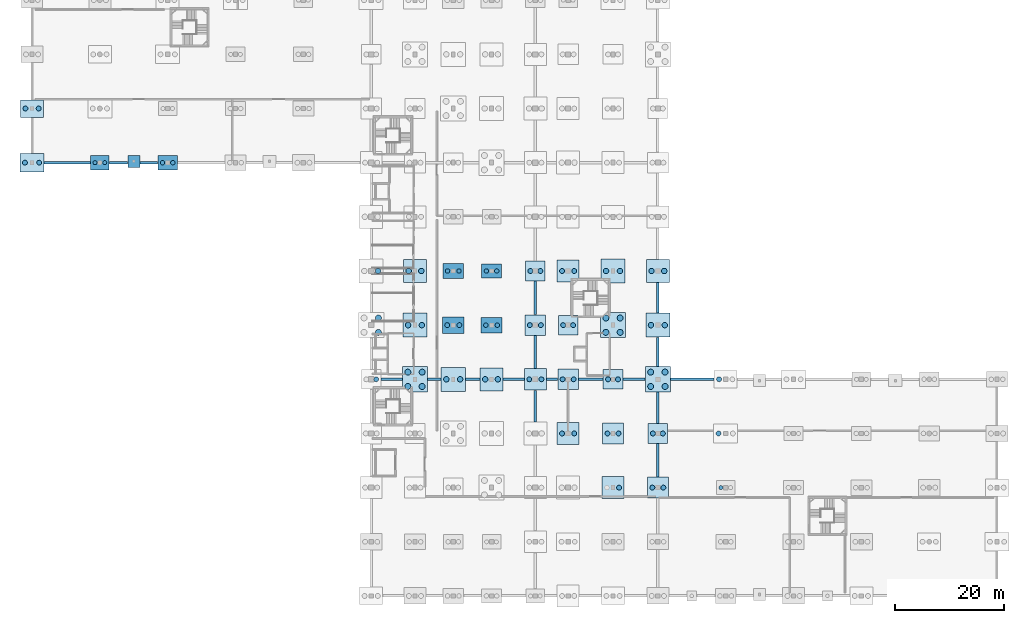
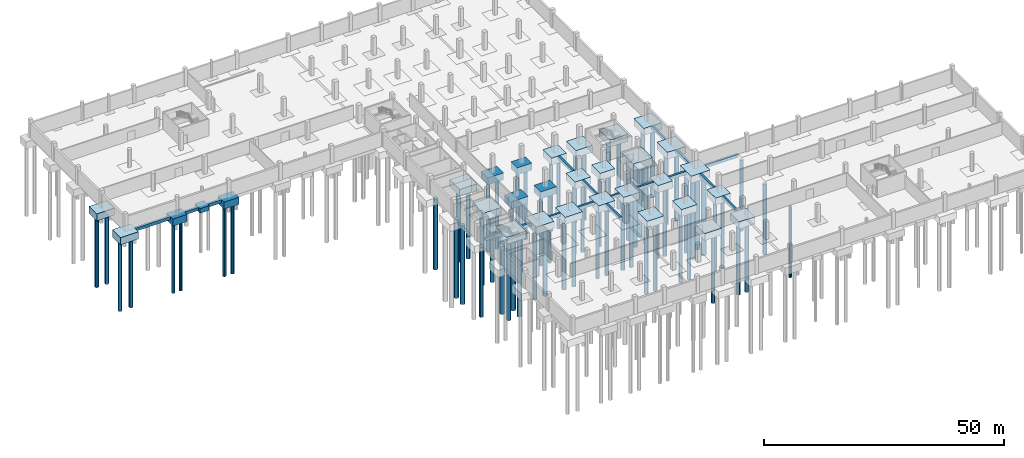
# One storey, part 2 of 30: 72 piles, 49 footings.
"""IFC4 building model written with IfcOpenShell, lengths in metres."""

from ifc_helpers import new_model, si_unit, direction, frame, origin, origin_2d, place, context, subcontext, project, spatial, rectangle, circle, extrude, material, layer, layer_set, material_profile, profile_set, type_object, element, save


model = new_model("IFC4")

# Units and contexts
model_context = context("Model", 3, precision=1e-05, world=origin(), true_north=direction((0.0, 1.0)))
body_context = subcontext(model_context, "Body", "Model", "MODEL_VIEW")
ifc_project = project(units=[si_unit("LENGTHUNIT", "METRE"), si_unit("AREAUNIT", "SQUARE_METRE"), si_unit("VOLUMEUNIT", "CUBIC_METRE"), si_unit("PLANEANGLEUNIT", "RADIAN"), si_unit("MASSUNIT", "GRAM", prefix="KILO")], contexts=[model_context])

# Site, building, storey
site_placement = place(None, origin())
site = spatial("IfcSite", under=ifc_project, at=site_placement, CompositionType="ELEMENT")
building_placement = place(site_placement, origin())
building = spatial("IfcBuilding", under=site, at=building_placement, Name="Sillaruma Civic Art Gallery", CompositionType="ELEMENT")
storey_placement = place(building_placement, frame((0.0, 0.0, -9.179931640625)))
storey = spatial("IfcBuildingStorey", under=building, at=storey_placement, Name="B02", CompositionType="ELEMENT", Elevation=-9.179931640625)

# Footings
ifc_material = material(Name="Concrete H35 (35 MPa)", Category="concrete")
ifc_material_profile_1 = material_profile(ifc_material, rectangle(XDim=0.5, YDim=0.800048828125, at=origin_2d()), Name="RCB500x800")
ifc_profile_set_1 = profile_set([ifc_material_profile_1], Name="Concrete H35 (35 MPa)")
footing_type_1 = type_object("IfcFootingType", Name="FTG-FB-500x800", PredefinedType="FOOTING_BEAM", material=ifc_profile_set_1)
footing_1_placement = place(storey_placement, frame((63.820068359375, 39.60009765625, -0.400146484375), z_axis=(1.0, 0.0, 0.0), x_axis=(0.0, 1.0, 0.0)))
element("IfcFooting", 1, at=footing_1_placement, inside=storey, type_object=footing_type_1, Name="Foundation Tie Beam FB-01 (5:F-G:1)", PredefinedType="FOOTING_BEAM", context=body_context, shape_type="SweptSolid", body=[
    extrude(rectangle(XDim=0.5, YDim=0.800048828125, at=origin_2d()), origin(), (0.0, 0.0, 1.0), 3.85986328125),
])
footing_2_placement = place(storey_placement, frame((72.320068359375, 39.60009765625, -0.400146484375), z_axis=(1.0, 0.0, 0.0), x_axis=(0.0, 1.0, 0.0)))
element("IfcFooting", 2, at=footing_2_placement, inside=storey, type_object=footing_type_1, Name="Foundation Tie Beam FB-01 (5:G-H:1)", PredefinedType="FOOTING_BEAM", context=body_context, shape_type="SweptSolid", body=[
    extrude(rectangle(XDim=0.5, YDim=0.800048828125, at=origin_2d()), origin(), (0.0, 0.0, 1.0), 2.4599609375),
])
footing_3_placement = place(storey_placement, frame((79.219970703125, 39.60009765625, -0.400146484375), z_axis=(1.0, 0.0, 0.0), x_axis=(0.0, 1.0, 0.0)))
element("IfcFooting", 3, at=footing_3_placement, inside=storey, type_object=footing_type_1, Name="Foundation Tie Beam FB-01 (5:H-J:1)", PredefinedType="FOOTING_BEAM", context=body_context, shape_type="SweptSolid", body=[
    extrude(rectangle(XDim=0.5, YDim=0.800048828125, at=origin_2d()), origin(), (0.0, 0.0, 1.0), 2.659912109375),
])
footing_4_placement = place(storey_placement, frame((86.1201171875, 39.60009765625, -0.400146484375), z_axis=(1.0, 0.0, 0.0), x_axis=(0.0, 1.0, 0.0)))
element("IfcFooting", 4, at=footing_4_placement, inside=storey, type_object=footing_type_1, Name="Foundation Tie Beam FB-01 (5:J-K:1)", PredefinedType="FOOTING_BEAM", context=body_context, shape_type="SweptSolid", body=[
    extrude(rectangle(XDim=0.5, YDim=0.800048828125, at=origin_2d()), origin(), (0.0, 0.0, 1.0), 3.85986328125),
])
footing_5_placement = place(storey_placement, frame((94.02001953125, 39.60009765625, -0.400146484375), z_axis=(1.0, 0.0, 0.0), x_axis=(0.0, 1.0, 0.0)))
element("IfcFooting", 5, at=footing_5_placement, inside=storey, type_object=footing_type_1, Name="Foundation Tie Beam FB-01 (5:K-L:1)", PredefinedType="FOOTING_BEAM", context=body_context, shape_type="SweptSolid", body=[
    extrude(rectangle(XDim=0.5, YDim=0.800048828125, at=origin_2d()), origin(), (0.0, 0.0, 1.0), 2.06005859375),
])
footing_6_placement = place(storey_placement, frame((99.919921875, 39.60009765625, -0.400146484375), z_axis=(1.0, 0.0, 0.0), x_axis=(0.0, 1.0, 0.0)))
element("IfcFooting", 6, at=footing_6_placement, inside=storey, type_object=footing_type_1, Name="Foundation Tie Beam FB-01 (5:L-M:1)", PredefinedType="FOOTING_BEAM", context=body_context, shape_type="SweptSolid", body=[
    extrude(rectangle(XDim=0.5, YDim=0.800048828125, at=origin_2d()), origin(), (0.0, 0.0, 1.0), 4.4599609375),
])
footing_7_placement = place(storey_placement, frame((108.02001953125, 39.60009765625, -0.400146484375), z_axis=(1.0, 0.0, 0.0), x_axis=(0.0, 1.0, 0.0)))
element("IfcFooting", 7, at=footing_7_placement, inside=storey, type_object=footing_type_1, Name="Foundation Tie Beam FB-01 (5:M-N:1)", PredefinedType="FOOTING_BEAM", context=body_context, shape_type="SweptSolid", body=[
    extrude(rectangle(XDim=0.5, YDim=0.800048828125, at=origin_2d()), origin(), (0.0, 0.0, 1.0), 4.06005859375),
])
footing_8_placement = place(storey_placement, frame((116.719970703125, 39.60009765625, -0.400146484375), z_axis=(1.0, 0.0, 0.0), x_axis=(0.0, 1.0, 0.0)))
element("IfcFooting", 8, at=footing_8_placement, inside=storey, type_object=footing_type_1, Name="Foundation Tie Beam FB-01 (5:N-P:1)", PredefinedType="FOOTING_BEAM", context=body_context, shape_type="SweptSolid", body=[
    extrude(rectangle(XDim=0.5, YDim=0.800048828125, at=origin_2d()), origin(), (0.0, 0.0, 1.0), 7.9599609375),
])
footing_9_placement = place(storey_placement, frame((2.219970703125, 79.199951171875, -0.400146484375), z_axis=(1.0, 0.0, 0.0), x_axis=(0.0, 1.0, 0.0)))
element("IfcFooting", 9, at=footing_9_placement, inside=storey, type_object=footing_type_1, Name="Foundation Tie Beam FB-01 (9:A-B:1)", PredefinedType="FOOTING_BEAM", context=body_context, shape_type="SweptSolid", body=[
    extrude(rectangle(XDim=0.5, YDim=0.800048828125, at=origin_2d()), origin(), (0.0, 0.0, 1.0), 8.4599609375),
])
footing_10_placement = place(storey_placement, frame((14.1201171875, 79.199951171875, -0.400146484375), z_axis=(1.0, 0.0, 0.0), x_axis=(0.0, 1.0, 0.0)))
element("IfcFooting", 10, at=footing_10_placement, inside=storey, type_object=footing_type_1, Name="Foundation Tie Beam FB-01 (9:B-C:A)", PredefinedType="FOOTING_BEAM", context=body_context, shape_type="SweptSolid", body=[
    extrude(rectangle(XDim=0.5, YDim=0.800048828125, at=origin_2d()), origin(), (0.0, 0.0, 1.0), 3.35986328125),
])
footing_11_placement = place(storey_placement, frame((19.719970703125, 79.199951171875, -0.400146484375), z_axis=(1.0, 0.0, 0.0), x_axis=(0.0, 1.0, 0.0)))
element("IfcFooting", 11, at=footing_11_placement, inside=storey, type_object=footing_type_1, Name="Foundation Tie Beam FB-01 (9:B-C:B)", PredefinedType="FOOTING_BEAM", context=body_context, shape_type="SweptSolid", body=[
    extrude(rectangle(XDim=0.5, YDim=0.800048828125, at=origin_2d()), origin(), (0.0, 0.0, 1.0), 3.260009765625),
])
footing_12_placement = place(storey_placement, frame((92.0, 31.820068359375, -0.400146484375), z_axis=(0.0, 1.0, 0.0), x_axis=(-1.0, 0.0, 0.0)))
element("IfcFooting", 12, at=footing_12_placement, inside=storey, type_object=footing_type_1, Name="Foundation Tie Beam FB-01 (K:4-5)", PredefinedType="FOOTING_BEAM", context=body_context, shape_type="SweptSolid", body=[
    extrude(rectangle(XDim=0.5, YDim=0.800048828125, at=origin_2d()), origin(), (0.0, 0.0, 1.0), 5.760009765625),
])
footing_13_placement = place(storey_placement, frame((92.0, 41.6201171875, -0.400146484375), z_axis=(0.0, 1.0, 0.0), x_axis=(-1.0, 0.0, 0.0)))
element("IfcFooting", 13, at=footing_13_placement, inside=storey, type_object=footing_type_1, Name="Foundation Tie Beam FB-01 (K:5-6)", PredefinedType="FOOTING_BEAM", context=body_context, shape_type="SweptSolid", body=[
    extrude(rectangle(XDim=0.5, YDim=0.800048828125, at=origin_2d()), origin(), (0.0, 0.0, 1.0), 5.9599609375),
])
footing_14_placement = place(storey_placement, frame((92.0, 51.419921875, -0.400146484375), z_axis=(0.0, 1.0, 0.0), x_axis=(-1.0, 0.0, 0.0)))
element("IfcFooting", 14, at=footing_14_placement, inside=storey, type_object=footing_type_1, Name="Foundation Tie Beam FB-01 (K:6-7)", PredefinedType="FOOTING_BEAM", context=body_context, shape_type="SweptSolid", body=[
    extrude(rectangle(XDim=0.5, YDim=0.800048828125, at=origin_2d()), origin(), (0.0, 0.0, 1.0), 6.16015625),
])
footing_15_placement = place(storey_placement, frame((114.39990234375, 21.719970703125, -0.400146484375), z_axis=(0.0, 1.0, 0.0), x_axis=(-1.0, 0.0, 0.0)))
element("IfcFooting", 15, at=footing_15_placement, inside=storey, type_object=footing_type_1, Name="Foundation Tie Beam FB-01 (N:3-4)", PredefinedType="FOOTING_BEAM", context=body_context, shape_type="SweptSolid", body=[
    extrude(rectangle(XDim=0.5, YDim=0.800048828125, at=origin_2d()), origin(), (0.0, 0.0, 1.0), 6.159912109375),
])
footing_16_placement = place(storey_placement, frame((114.39990234375, 31.52001953125, -0.400146484375), z_axis=(0.0, 1.0, 0.0), x_axis=(-1.0, 0.0, 0.0)))
element("IfcFooting", 16, at=footing_16_placement, inside=storey, type_object=footing_type_1, Name="Foundation Tie Beam FB-01 (N:4-5)", PredefinedType="FOOTING_BEAM", context=body_context, shape_type="SweptSolid", body=[
    extrude(rectangle(XDim=0.5, YDim=0.800048828125, at=origin_2d()), origin(), (0.0, 0.0, 1.0), 5.760009765625),
])
footing_17_placement = place(storey_placement, frame((114.39990234375, 41.919921875, -0.400146484375), z_axis=(0.0, 1.0, 0.0), x_axis=(-1.0, 0.0, 0.0)))
element("IfcFooting", 17, at=footing_17_placement, inside=storey, type_object=footing_type_1, Name="Foundation Tie Beam FB-01 (N:5-6)", PredefinedType="FOOTING_BEAM", context=body_context, shape_type="SweptSolid", body=[
    extrude(rectangle(XDim=0.5, YDim=0.800048828125, at=origin_2d()), origin(), (0.0, 0.0, 1.0), 5.360107421875),
])
footing_18_placement = place(storey_placement, frame((114.39990234375, 51.719970703125, -0.400146484375), z_axis=(0.0, 1.0, 0.0), x_axis=(-1.0, 0.0, 0.0)))
element("IfcFooting", 18, at=footing_18_placement, inside=storey, type_object=footing_type_1, Name="Foundation Tie Beam FB-01 (N:6-7)", PredefinedType="FOOTING_BEAM", context=body_context, shape_type="SweptSolid", body=[
    extrude(rectangle(XDim=0.5, YDim=0.800048828125, at=origin_2d()), origin(), (0.0, 0.0, 1.0), 5.56005859375),
])
ifc_layer_1 = layer(ifc_material, 1.199951171875, Name="Concrete H35 (35 MPa)")
ifc_layer_set_1 = layer_set([ifc_layer_1], Name="Concrete H35 (35 MPa)")
footing_type_2 = type_object("IfcFootingType", Name="FTG-PAD-22x22", PredefinedType="PAD_FOOTING", material=ifc_layer_set_1)
footing_19_placement = place(storey_placement, frame((18.60009765625, 79.449951171875, -1.2001953125), z_axis=(0.0, 0.0, 1.0), x_axis=(1.0, 0.0, 0.0)))
element("IfcFooting", 19, at=footing_19_placement, inside=storey, type_object=footing_type_2, Name="Pad Footing PF-01 (PIL-W1)", PredefinedType="PAD_FOOTING", context=body_context, shape_type="SweptSolid", body=[
    extrude(rectangle(XDim=2.199951171875, YDim=2.199951171875, at=origin_2d()), origin(), (0.0, 0.0, 1.0), 1.199951171875),
])
ifc_layer_2 = layer(ifc_material, 1.800048828125, Name="Concrete H35 (35 MPa)")
ifc_layer_set_2 = layer_set([ifc_layer_2], Name="Concrete H35 (35 MPa)")
footing_type_3 = type_object("IfcFootingType", Name="FTG-PC-34x26", PredefinedType="PILE_CAP", material=ifc_layer_set_2)
footing_20_placement = place(storey_placement, frame((12.39990234375, 79.199951171875, -1.80029296875), z_axis=(0.0, 0.0, 1.0), x_axis=(1.0, 0.0, 0.0)))
element("IfcFooting", 20, at=footing_20_placement, inside=storey, type_object=footing_type_3, Name="Pile Cap PC-12 (B9)", PredefinedType="PILE_CAP", context=body_context, shape_type="SweptSolid", body=[
    extrude(rectangle(XDim=3.39990234375, YDim=2.60009765625, at=origin_2d()), origin(), (0.0, 0.0, 1.0), 1.800048828125),
])
ifc_layer_3 = layer(ifc_material, 1.800048828125, Name="Concrete H35 (35 MPa)")
ifc_layer_set_3 = layer_set([ifc_layer_3], Name="Concrete H35 (35 MPa)")
footing_type_4 = type_object("IfcFootingType", Name="FTG-PC-36x26", PredefinedType="PILE_CAP", material=ifc_layer_set_3)
for number, where, z_axis, x_axis, name in (
    (21, (24.800048828125, 79.199951171875, -1.80029296875), (0.0, 0.0, 1.0), (1.0, 0.0, 0.0), "Pile Cap PC-11 (C9)"),
    (22, (84.0, 59.39990234375, -1.80029296875), (0.0, 0.0, 1.0), (1.0, 0.0, 0.0), "Pile Cap PC-11 (J7)"),
):
    element("IfcFooting", number, at=place(storey_placement, frame(where, z_axis=z_axis, x_axis=x_axis)), inside=storey, type_object=footing_type_4, Name=name, PredefinedType="PILE_CAP", context=body_context, shape_type="SweptSolid", body=[
        extrude(rectangle(XDim=3.60009765625, YDim=2.60009765625, at=origin_2d()), origin(), (0.0, 0.0, 1.0), 1.800048828125),
    ])
ifc_layer_4 = layer(ifc_material, 1.800048828125, Name="Concrete H35 (35 MPa)")
ifc_layer_set_4 = layer_set([ifc_layer_4], Name="Concrete H35 (35 MPa)")
footing_type_5 = type_object("IfcFootingType", Name="FTG-PC-36x36", PredefinedType="PILE_CAP", material=ifc_layer_set_4)
for number, where, z_axis, x_axis, name in (
    (23, (92.0, 59.39990234375, -1.80029296875), (0.0, 0.0, 1.0), (1.0, 0.0, 0.0), "Pile Cap PC-06 (K7)"),
    (24, (98.0, 49.5, -1.80029296875), (0.0, 0.0, 1.0), (1.0, 0.0, 0.0), "Pile Cap PC-06 (L6)"),
    (25, (106.199951171875, 39.60009765625, -1.80029296875), (0.0, 0.0, 1.0), (1.0, 0.0, 0.0), "Pile Cap PC-06 (M5)"),
    (26, (114.39990234375, 29.699951171875, -1.80029296875), (0.0, 0.0, 1.0), (1.0, 0.0, 0.0), "Pile Cap PC-06 (N4)"),
):
    element("IfcFooting", number, at=place(storey_placement, frame(where, z_axis=z_axis, x_axis=x_axis)), inside=storey, type_object=footing_type_5, Name=name, PredefinedType="PILE_CAP", context=body_context, shape_type="SweptSolid", body=[
        extrude(rectangle(XDim=3.60009765625, YDim=3.60009765625, at=origin_2d()), origin(), (0.0, 0.0, 1.0), 1.800048828125),
    ])
ifc_layer_5 = layer(ifc_material, 1.800048828125, Name="Concrete H35 (35 MPa)")
ifc_layer_set_5 = layer_set([ifc_layer_5], Name="Concrete H35 (35 MPa)")
footing_type_6 = type_object("IfcFootingType", Name="FTG-PC-38x28", PredefinedType="PILE_CAP", material=ifc_layer_set_5)
for number, where, z_axis, x_axis, name in (
    (27, (77.0, 59.39990234375, -1.80029296875), (0.0, 0.0, 1.0), (1.0, 0.0, 0.0), "Pile Cap PC-10 (H7)"),
    (28, (84.0, 49.5, -1.80029296875), (0.0, 0.0, 1.0), (1.0, 0.0, 0.0), "Pile Cap PC-10 (J6)"),
):
    element("IfcFooting", number, at=place(storey_placement, frame(where, z_axis=z_axis, x_axis=x_axis)), inside=storey, type_object=footing_type_6, Name=name, PredefinedType="PILE_CAP", context=body_context, shape_type="SweptSolid", body=[
        extrude(rectangle(XDim=3.800048828125, YDim=2.800048828125, at=origin_2d()), origin(), (0.0, 0.0, 1.0), 1.800048828125),
    ])
ifc_layer_6 = layer(ifc_material, 1.800048828125, Name="Concrete H35 (35 MPa)")
ifc_layer_set_6 = layer_set([ifc_layer_6], Name="Concrete H35 (35 MPa)")
footing_type_7 = type_object("IfcFootingType", Name="FTG-PC-38x38", PredefinedType="PILE_CAP", material=ifc_layer_set_6)
for number, where, z_axis, x_axis, name in (
    (29, (92.0, 49.5, -1.80029296875), (0.0, 0.0, 1.0), (1.0, 0.0, 0.0), "Pile Cap PC-05 (K6)"),
    (30, (98.0, 39.60009765625, -1.80029296875), (0.0, 0.0, 1.0), (1.0, 0.0, 0.0), "Pile Cap PC-05 (L5)"),
    (31, (106.199951171875, 29.699951171875, -1.80029296875), (0.0, 0.0, 1.0), (1.0, 0.0, 0.0), "Pile Cap PC-05 (M4)"),
    (32, (114.39990234375, 19.800048828125, -1.80029296875), (0.0, 0.0, 1.0), (1.0, 0.0, 0.0), "Pile Cap PC-05 (N3)"),
):
    element("IfcFooting", number, at=place(storey_placement, frame(where, z_axis=z_axis, x_axis=x_axis)), inside=storey, type_object=footing_type_7, Name=name, PredefinedType="PILE_CAP", context=body_context, shape_type="SweptSolid", body=[
        extrude(rectangle(XDim=3.800048828125, YDim=3.800048828125, at=origin_2d()), origin(), (0.0, 0.0, 1.0), 1.800048828125),
    ])
ifc_layer_7 = layer(ifc_material, 1.800048828125, Name="Concrete H35 (35 MPa)")
ifc_layer_set_7 = layer_set([ifc_layer_7], Name="Concrete H35 (35 MPa)")
footing_type_8 = type_object("IfcFootingType", Name="FTG-PC-40x30", PredefinedType="PILE_CAP", material=ifc_layer_set_7)
footing_21_placement = place(storey_placement, frame((77.0, 49.5, -1.80029296875), z_axis=(0.0, 0.0, 1.0), x_axis=(1.0, 0.0, 0.0)))
element("IfcFooting", 33, at=footing_21_placement, inside=storey, type_object=footing_type_8, Name="Pile Cap PC-09 (H6)", PredefinedType="PILE_CAP", context=body_context, shape_type="SweptSolid", body=[
    extrude(rectangle(XDim=4.0, YDim=3.0, at=origin_2d()), origin(), (0.0, 0.0, 1.0), 1.800048828125),
])
ifc_layer_8 = layer(ifc_material, 1.800048828125, Name="Concrete H35 (35 MPa)")
ifc_layer_set_8 = layer_set([ifc_layer_8], Name="Concrete H35 (35 MPa)")
footing_type_9 = type_object("IfcFootingType", Name="FTG-PC-40x40", PredefinedType="PILE_CAP", material=ifc_layer_set_8)
for number, where, z_axis, x_axis, name in (
    (34, (92.0, 39.60009765625, -1.80029296875), (0.0, 0.0, 1.0), (1.0, 0.0, 0.0), "Pile Cap PC-04 (K5)"),
    (35, (98.0, 29.699951171875, -1.80029296875), (0.0, 0.0, 1.0), (1.0, 0.0, 0.0), "Pile Cap PC-04 (L4)"),
    (36, (98.0, 59.39990234375, -1.80029296875), (0.0, 0.0, 1.0), (1.0, 0.0, 0.0), "Pile Cap PC-04 (L7)"),
    (37, (106.199951171875, 19.800048828125, -1.80029296875), (0.0, 0.0, 1.0), (1.0, 0.0, 0.0), "Pile Cap PC-04 (M3)"),
):
    element("IfcFooting", number, at=place(storey_placement, frame(where, z_axis=z_axis, x_axis=x_axis)), inside=storey, type_object=footing_type_9, Name=name, PredefinedType="PILE_CAP", context=body_context, shape_type="SweptSolid", body=[
        extrude(rectangle(XDim=4.0, YDim=4.0, at=origin_2d()), origin(), (0.0, 0.0, 1.0), 1.800048828125),
    ])
ifc_layer_9 = layer(ifc_material, 1.800048828125, Name="Concrete H35 (35 MPa)")
ifc_layer_set_9 = layer_set([ifc_layer_9], Name="Concrete H35 (35 MPa)")
footing_type_10 = type_object("IfcFootingType", Name="FTG-PC-42x32", PredefinedType="PILE_CAP", material=ifc_layer_set_9)
footing_22_placement = place(storey_placement, frame((0.0, 89.10009765625, -1.80029296875), z_axis=(0.0, 0.0, 1.0), x_axis=(1.0, 0.0, 0.0)))
element("IfcFooting", 38, at=footing_22_placement, inside=storey, type_object=footing_type_10, Name="Pile Cap PC-08 (A10)", PredefinedType="PILE_CAP", context=body_context, shape_type="SweptSolid", body=[
    extrude(rectangle(XDim=4.199951171875, YDim=3.199951171875, at=origin_2d()), origin(), (0.0, 0.0, 1.0), 1.800048828125),
])
ifc_layer_10 = layer(ifc_material, 1.800048828125, Name="Concrete H35 (35 MPa)")
ifc_layer_set_10 = layer_set([ifc_layer_10], Name="Concrete H35 (35 MPa)")
footing_type_11 = type_object("IfcFootingType", Name="FTG-PC-42x42", PredefinedType="PILE_CAP", material=ifc_layer_set_10)
for number, where, z_axis, x_axis, name in (
    (39, (70.0, 59.39990234375, -1.80029296875), (0.0, 0.0, 1.0), (1.0, 0.0, 0.0), "Pile Cap PC-03 (G7)"),
    (40, (84.0, 39.60009765625, -1.80029296875), (0.0, 0.0, 1.0), (1.0, 0.0, 0.0), "Pile Cap PC-03 (J5)"),
    (41, (114.39990234375, 59.39990234375, -1.80029296875), (0.0, 0.0, 1.0), (1.0, 0.0, 0.0), "Pile Cap PC-03 (N7)"),
):
    element("IfcFooting", number, at=place(storey_placement, frame(where, z_axis=z_axis, x_axis=x_axis)), inside=storey, type_object=footing_type_11, Name=name, PredefinedType="PILE_CAP", context=body_context, shape_type="SweptSolid", body=[
        extrude(rectangle(XDim=4.199951171875, YDim=4.199951171875, at=origin_2d()), origin(), (0.0, 0.0, 1.0), 1.800048828125),
    ])
ifc_layer_11 = layer(ifc_material, 1.800048828125, Name="Concrete H35 (35 MPa)")
ifc_layer_set_11 = layer_set([ifc_layer_11], Name="Concrete H35 (35 MPa)")
footing_type_12 = type_object("IfcFootingType", Name="FTG-PC-44x34", PredefinedType="PILE_CAP", material=ifc_layer_set_11)
footing_23_placement = place(storey_placement, frame((0.0, 79.199951171875, -1.80029296875), z_axis=(0.0, 0.0, 1.0), x_axis=(1.0, 0.0, 0.0)))
element("IfcFooting", 42, at=footing_23_placement, inside=storey, type_object=footing_type_12, Name="Pile Cap PC-07 (A9)", PredefinedType="PILE_CAP", context=body_context, shape_type="SweptSolid", body=[
    extrude(rectangle(XDim=4.39990234375, YDim=3.39990234375, at=origin_2d()), origin(), (0.0, 0.0, 1.0), 1.800048828125),
])
ifc_layer_12 = layer(ifc_material, 1.800048828125, Name="Concrete H35 (35 MPa)")
ifc_layer_set_12 = layer_set([ifc_layer_12], Name="Concrete H35 (35 MPa)")
footing_type_13 = type_object("IfcFootingType", Name="FTG-PC-44x44", PredefinedType="PILE_CAP", material=ifc_layer_set_12)
for number, where, z_axis, x_axis, name in (
    (43, (70.0, 49.5, -1.80029296875), (0.0, 0.0, 1.0), (1.0, 0.0, 0.0), "Pile Cap PC-02 (G6)"),
    (44, (77.0, 39.60009765625, -1.80029296875), (0.0, 0.0, 1.0), (1.0, 0.0, 0.0), "Pile Cap PC-02 (H5)"),
    (45, (106.199951171875, 59.39990234375, -1.80029296875), (0.0, 0.0, 1.0), (1.0, 0.0, 0.0), "Pile Cap PC-02 (M7)"),
    (46, (114.39990234375, 49.5, -1.80029296875), (0.0, 0.0, 1.0), (1.0, 0.0, 0.0), "Pile Cap PC-02 (N6)"),
):
    element("IfcFooting", number, at=place(storey_placement, frame(where, z_axis=z_axis, x_axis=x_axis)), inside=storey, type_object=footing_type_13, Name=name, PredefinedType="PILE_CAP", context=body_context, shape_type="SweptSolid", body=[
        extrude(rectangle(XDim=4.39990234375, YDim=4.39990234375, at=origin_2d()), origin(), (0.0, 0.0, 1.0), 1.800048828125),
    ])
ifc_layer_13 = layer(ifc_material, 1.800048828125, Name="Concrete H35 (35 MPa)")
ifc_layer_set_13 = layer_set([ifc_layer_13], Name="Concrete H35 (35 MPa)")
footing_type_14 = type_object("IfcFootingType", Name="FTG-PC-46x46", PredefinedType="PILE_CAP", material=ifc_layer_set_13)
for number, where, z_axis, x_axis, name in (
    (47, (70.0, 39.60009765625, -1.80029296875), (0.0, 0.0, 1.0), (1.0, 0.0, 0.0), "Pile Cap PC-01 (G5)"),
    (48, (106.199951171875, 49.5, -1.80029296875), (0.0, 0.0, 1.0), (1.0, 0.0, 0.0), "Pile Cap PC-01 (M6)"),
    (49, (114.39990234375, 39.60009765625, -1.80029296875), (0.0, 0.0, 1.0), (1.0, 0.0, 0.0), "Pile Cap PC-01 (N5)"),
):
    element("IfcFooting", number, at=place(storey_placement, frame(where, z_axis=z_axis, x_axis=x_axis)), inside=storey, type_object=footing_type_14, Name=name, PredefinedType="PILE_CAP", context=body_context, shape_type="SweptSolid", body=[
        extrude(rectangle(XDim=4.60009765625, YDim=4.60009765625, at=origin_2d()), origin(), (0.0, 0.0, 1.0), 1.800048828125),
    ])

# Piles
ifc_material_profile_2 = material_profile(ifc_material, circle(Radius=0.5, at=origin_2d()), Name="PILE1000")
ifc_profile_set_2 = profile_set([ifc_material_profile_2], Name="Concrete H35 (35 MPa)")
pile_type_1 = type_object("IfcPileType", Name="PIL-BORED-PILE1000", PredefinedType="BORED", material=ifc_profile_set_2)
for number, where, z_axis, x_axis, name in (
    (50, (63.260009765625, 59.39990234375, -1.800048828125), (0.0, 0.0, -1.0), (1.0, 0.0, 0.0), "Bored Pile PL-B1000 (F7-2)"),
    (51, (68.739990234375, 49.5, -1.800048828125), (0.0, 0.0, -1.0), (1.0, 0.0, 0.0), "Bored Pile PL-B1000 (G6-1)"),
    (52, (71.260009765625, 49.5, -1.800048828125), (0.0, 0.0, -1.0), (1.0, 0.0, 0.0), "Bored Pile PL-B1000 (G6-2)"),
    (53, (68.840087890625, 59.39990234375, -1.800048828125), (0.0, 0.0, -1.0), (1.0, 0.0, 0.0), "Bored Pile PL-B1000 (G7-1)"),
    (54, (71.159912109375, 59.39990234375, -1.800048828125), (0.0, 0.0, -1.0), (1.0, 0.0, 0.0), "Bored Pile PL-B1000 (G7-2)"),
    (55, (75.739990234375, 39.60009765625, -1.800048828125), (0.0, 0.0, -1.0), (1.0, 0.0, 0.0), "Bored Pile PL-B1000 (H5-1)"),
    (56, (78.260009765625, 39.60009765625, -1.800048828125), (0.0, 0.0, -1.0), (1.0, 0.0, 0.0), "Bored Pile PL-B1000 (H5-2)"),
    (57, (82.840087890625, 39.60009765625, -1.800048828125), (0.0, 0.0, -1.0), (1.0, 0.0, 0.0), "Bored Pile PL-B1000 (J5-1)"),
    (58, (85.159912109375, 39.60009765625, -1.800048828125), (0.0, 0.0, -1.0), (1.0, 0.0, 0.0), "Bored Pile PL-B1000 (J5-2)"),
    (59, (104.93994140625, 59.39990234375, -1.800048828125), (0.0, 0.0, -1.0), (1.0, 0.0, 0.0), "Bored Pile PL-B1000 (M7-1)"),
    (60, (107.4599609375, 59.39990234375, -1.800048828125), (0.0, 0.0, -1.0), (1.0, 0.0, 0.0), "Bored Pile PL-B1000 (M7-2)"),
    (61, (113.139892578125, 49.5, -1.800048828125), (0.0, 0.0, -1.0), (1.0, 0.0, 0.0), "Bored Pile PL-B1000 (N6-1)"),
    (62, (115.659912109375, 49.5, -1.800048828125), (0.0, 0.0, -1.0), (1.0, 0.0, 0.0), "Bored Pile PL-B1000 (N6-2)"),
    (63, (113.239990234375, 59.39990234375, -1.800048828125), (0.0, 0.0, -1.0), (1.0, 0.0, 0.0), "Bored Pile PL-B1000 (N7-1)"),
    (64, (115.56005859375, 59.39990234375, -1.800048828125), (0.0, 0.0, -1.0), (1.0, 0.0, 0.0), "Bored Pile PL-B1000 (N7-2)"),
):
    element("IfcPile", number, at=place(storey_placement, frame(where, z_axis=z_axis, x_axis=x_axis)), inside=storey, type_object=pile_type_1, Name=name, PredefinedType="BORED", context=body_context, shape_type="SweptSolid", body=[
        extrude(circle(Radius=0.5, at=origin_2d()), origin(), (0.0, 0.0, 1.0), 18.0),
    ])
ifc_material_profile_3 = material_profile(ifc_material, circle(Radius=0.550048828125, at=origin_2d()), Name="PILE1100")
ifc_profile_set_3 = profile_set([ifc_material_profile_3], Name="Concrete H35 (35 MPa)")
pile_type_2 = type_object("IfcPileType", Name="PIL-BORED-PILE1100", PredefinedType="BORED", material=ifc_profile_set_3)
for number, where, z_axis, x_axis, name in (
    (65, (63.31005859375, 48.18994140625, -1.800048828125), (0.0, 0.0, -1.0), (1.0, 0.0, 0.0), "Bored Pile PL-B1100 (F6-2)"),
    (66, (63.31005859375, 50.81005859375, -1.800048828125), (0.0, 0.0, -1.0), (1.0, 0.0, 0.0), "Bored Pile PL-B1100 (F6-4)"),
    (67, (68.68994140625, 38.2900390625, -1.800048828125), (0.0, 0.0, -1.0), (1.0, 0.0, 0.0), "Bored Pile PL-B1100 (G5-1)"),
    (68, (71.31005859375, 38.2900390625, -1.800048828125), (0.0, 0.0, -1.0), (1.0, 0.0, 0.0), "Bored Pile PL-B1100 (G5-2)"),
    (69, (68.68994140625, 40.909912109375, -1.800048828125), (0.0, 0.0, -1.0), (1.0, 0.0, 0.0), "Bored Pile PL-B1100 (G5-3)"),
    (70, (71.31005859375, 40.909912109375, -1.800048828125), (0.0, 0.0, -1.0), (1.0, 0.0, 0.0), "Bored Pile PL-B1100 (G5-4)"),
    (71, (104.889892578125, 48.18994140625, -1.800048828125), (0.0, 0.0, -1.0), (1.0, 0.0, 0.0), "Bored Pile PL-B1100 (M6-1)"),
    (72, (107.510009765625, 48.18994140625, -1.800048828125), (0.0, 0.0, -1.0), (1.0, 0.0, 0.0), "Bored Pile PL-B1100 (M6-2)"),
    (73, (104.889892578125, 50.81005859375, -1.800048828125), (0.0, 0.0, -1.0), (1.0, 0.0, 0.0), "Bored Pile PL-B1100 (M6-3)"),
    (74, (107.510009765625, 50.81005859375, -1.800048828125), (0.0, 0.0, -1.0), (1.0, 0.0, 0.0), "Bored Pile PL-B1100 (M6-4)"),
    (75, (113.090087890625, 38.2900390625, -1.800048828125), (0.0, 0.0, -1.0), (1.0, 0.0, 0.0), "Bored Pile PL-B1100 (N5-1)"),
    (76, (115.7099609375, 38.2900390625, -1.800048828125), (0.0, 0.0, -1.0), (1.0, 0.0, 0.0), "Bored Pile PL-B1100 (N5-2)"),
    (77, (113.090087890625, 40.909912109375, -1.800048828125), (0.0, 0.0, -1.0), (1.0, 0.0, 0.0), "Bored Pile PL-B1100 (N5-3)"),
    (78, (115.7099609375, 40.909912109375, -1.800048828125), (0.0, 0.0, -1.0), (1.0, 0.0, 0.0), "Bored Pile PL-B1100 (N5-4)"),
):
    element("IfcPile", number, at=place(storey_placement, frame(where, z_axis=z_axis, x_axis=x_axis)), inside=storey, type_object=pile_type_2, Name=name, PredefinedType="BORED", context=body_context, shape_type="SweptSolid", body=[
        extrude(circle(Radius=0.550048828125, at=origin_2d()), origin(), (0.0, 0.0, 1.0), 20.0),
    ])
ifc_material_profile_4 = material_profile(ifc_material, circle(Radius=0.3701171875, at=origin_2d()), Name="PILE740")
ifc_profile_set_4 = profile_set([ifc_material_profile_4], Name="Concrete H35 (35 MPa)")
pile_type_3 = type_object("IfcPileType", Name="PIL-BORED-PILE740", PredefinedType="BORED", material=ifc_profile_set_4)
for number, where, z_axis, x_axis, name in (
    (79, (11.510009765625, 79.199951171875, -1.800048828125), (0.0, 0.0, -1.0), (1.0, 0.0, 0.0), "Bored Pile PL-B740 (B9-1)"),
    (80, (13.2900390625, 79.199951171875, -1.800048828125), (0.0, 0.0, -1.0), (1.0, 0.0, 0.0), "Bored Pile PL-B740 (B9-2)"),
    (81, (125.909912109375, 19.800048828125, -1.800048828125), (0.0, 0.0, -1.0), (1.0, 0.0, 0.0), "Bored Pile PL-B740 (P3-1)"),
):
    element("IfcPile", number, at=place(storey_placement, frame(where, z_axis=z_axis, x_axis=x_axis)), inside=storey, type_object=pile_type_3, Name=name, PredefinedType="BORED", context=body_context, shape_type="SweptSolid", body=[
        extrude(circle(Radius=0.3701171875, at=origin_2d()), origin(), (0.0, 0.0, 1.0), 18.0),
    ])
ifc_material_profile_5 = material_profile(ifc_material, circle(Radius=0.409912109375, at=origin_2d()), Name="PILE820")
ifc_profile_set_5 = profile_set([ifc_material_profile_5], Name="Concrete H35 (35 MPa)")
pile_type_4 = type_object("IfcPileType", Name="PIL-BORED-PILE820", PredefinedType="BORED", material=ifc_profile_set_5)
for number, where, z_axis, x_axis, name in (
    (82, (23.85009765625, 79.199951171875, -1.800048828125), (0.0, 0.0, -1.0), (1.0, 0.0, 0.0), "Bored Pile PL-B820 (C9-1)"),
    (83, (25.75, 79.199951171875, -1.800048828125), (0.0, 0.0, -1.0), (1.0, 0.0, 0.0), "Bored Pile PL-B820 (C9-2)"),
    (84, (75.949951171875, 59.39990234375, -1.800048828125), (0.0, 0.0, -1.0), (1.0, 0.0, 0.0), "Bored Pile PL-B820 (H7-1)"),
    (85, (78.050048828125, 59.39990234375, -1.800048828125), (0.0, 0.0, -1.0), (1.0, 0.0, 0.0), "Bored Pile PL-B820 (H7-2)"),
    (86, (82.949951171875, 49.5, -1.800048828125), (0.0, 0.0, -1.0), (1.0, 0.0, 0.0), "Bored Pile PL-B820 (J6-1)"),
    (87, (85.050048828125, 49.5, -1.800048828125), (0.0, 0.0, -1.0), (1.0, 0.0, 0.0), "Bored Pile PL-B820 (J6-2)"),
    (88, (83.050048828125, 59.39990234375, -1.800048828125), (0.0, 0.0, -1.0), (1.0, 0.0, 0.0), "Bored Pile PL-B820 (J7-1)"),
    (89, (84.949951171875, 59.39990234375, -1.800048828125), (0.0, 0.0, -1.0), (1.0, 0.0, 0.0), "Bored Pile PL-B820 (J7-2)"),
):
    element("IfcPile", number, at=place(storey_placement, frame(where, z_axis=z_axis, x_axis=x_axis)), inside=storey, type_object=pile_type_4, Name=name, PredefinedType="BORED", context=body_context, shape_type="SweptSolid", body=[
        extrude(circle(Radius=0.409912109375, at=origin_2d()), origin(), (0.0, 0.0, 1.0), 18.0),
    ])
ifc_material_profile_6 = material_profile(ifc_material, circle(Radius=0.449951171875, at=origin_2d()), Name="PILE900")
ifc_profile_set_6 = profile_set([ifc_material_profile_6], Name="Concrete H35 (35 MPa)")
pile_type_5 = type_object("IfcPileType", Name="PIL-BORED-PILE900", PredefinedType="BORED", material=ifc_profile_set_6)
for number, where, z_axis, x_axis, name in (
    (90, (-1.31005859375, 79.199951171875, -1.800048828125), (0.0, 0.0, -1.0), (1.0, 0.0, 0.0), "Bored Pile PL-B900 (A9-1)"),
    (91, (1.31005859375, 79.199951171875, -1.800048828125), (0.0, 0.0, -1.0), (1.0, 0.0, 0.0), "Bored Pile PL-B900 (A9-2)"),
    (92, (-1.2099609375, 89.10009765625, -1.800048828125), (0.0, 0.0, -1.0), (1.0, 0.0, 0.0), "Bored Pile PL-B900 (A10-1)"),
    (93, (1.2099609375, 89.10009765625, -1.800048828125), (0.0, 0.0, -1.0), (1.0, 0.0, 0.0), "Bored Pile PL-B900 (A10-2)"),
    (94, (62.909912109375, 39.60009765625, -1.800048828125), (0.0, 0.0, -1.0), (1.0, 0.0, 0.0), "Bored Pile PL-B900 (F5-2)"),
    (95, (75.889892578125, 49.5, -1.800048828125), (0.0, 0.0, -1.0), (1.0, 0.0, 0.0), "Bored Pile PL-B900 (H6-1)"),
    (96, (78.110107421875, 49.5, -1.800048828125), (0.0, 0.0, -1.0), (1.0, 0.0, 0.0), "Bored Pile PL-B900 (H6-2)"),
    (97, (90.889892578125, 39.60009765625, -1.800048828125), (0.0, 0.0, -1.0), (1.0, 0.0, 0.0), "Bored Pile PL-B900 (K5-1)"),
    (98, (93.110107421875, 39.60009765625, -1.800048828125), (0.0, 0.0, -1.0), (1.0, 0.0, 0.0), "Bored Pile PL-B900 (K5-2)"),
    (99, (90.989990234375, 49.5, -1.800048828125), (0.0, 0.0, -1.0), (1.0, 0.0, 0.0), "Bored Pile PL-B900 (K6-1)"),
    (100, (93.010009765625, 49.5, -1.800048828125), (0.0, 0.0, -1.0), (1.0, 0.0, 0.0), "Bored Pile PL-B900 (K6-2)"),
    (101, (91.090087890625, 59.39990234375, -1.800048828125), (0.0, 0.0, -1.0), (1.0, 0.0, 0.0), "Bored Pile PL-B900 (K7-1)"),
    (102, (92.909912109375, 59.39990234375, -1.800048828125), (0.0, 0.0, -1.0), (1.0, 0.0, 0.0), "Bored Pile PL-B900 (K7-2)"),
    (103, (96.889892578125, 29.699951171875, -1.800048828125), (0.0, 0.0, -1.0), (1.0, 0.0, 0.0), "Bored Pile PL-B900 (L4-1)"),
    (104, (99.110107421875, 29.699951171875, -1.800048828125), (0.0, 0.0, -1.0), (1.0, 0.0, 0.0), "Bored Pile PL-B900 (L4-2)"),
    (105, (96.989990234375, 39.60009765625, -1.800048828125), (0.0, 0.0, -1.0), (1.0, 0.0, 0.0), "Bored Pile PL-B900 (L5-1)"),
    (106, (99.010009765625, 39.60009765625, -1.800048828125), (0.0, 0.0, -1.0), (1.0, 0.0, 0.0), "Bored Pile PL-B900 (L5-2)"),
    (107, (97.090087890625, 49.5, -1.800048828125), (0.0, 0.0, -1.0), (1.0, 0.0, 0.0), "Bored Pile PL-B900 (L6-1)"),
    (108, (98.909912109375, 49.5, -1.800048828125), (0.0, 0.0, -1.0), (1.0, 0.0, 0.0), "Bored Pile PL-B900 (L6-2)"),
    (109, (96.889892578125, 59.39990234375, -1.800048828125), (0.0, 0.0, -1.0), (1.0, 0.0, 0.0), "Bored Pile PL-B900 (L7-1)"),
    (110, (99.110107421875, 59.39990234375, -1.800048828125), (0.0, 0.0, -1.0), (1.0, 0.0, 0.0), "Bored Pile PL-B900 (L7-2)"),
    (111, (107.31005859375, 19.800048828125, -1.800048828125), (0.0, 0.0, -1.0), (1.0, 0.0, 0.0), "Bored Pile PL-B900 (M3-2)"),
    (112, (105.18994140625, 29.699951171875, -1.800048828125), (0.0, 0.0, -1.0), (1.0, 0.0, 0.0), "Bored Pile PL-B900 (M4-1)"),
    (113, (107.2099609375, 29.699951171875, -1.800048828125), (0.0, 0.0, -1.0), (1.0, 0.0, 0.0), "Bored Pile PL-B900 (M4-2)"),
    (114, (105.2900390625, 39.60009765625, -1.800048828125), (0.0, 0.0, -1.0), (1.0, 0.0, 0.0), "Bored Pile PL-B900 (M5-1)"),
    (115, (107.110107421875, 39.60009765625, -1.800048828125), (0.0, 0.0, -1.0), (1.0, 0.0, 0.0), "Bored Pile PL-B900 (M5-2)"),
    (116, (113.389892578125, 19.800048828125, -1.800048828125), (0.0, 0.0, -1.0), (1.0, 0.0, 0.0), "Bored Pile PL-B900 (N3-1)"),
    (117, (115.409912109375, 19.800048828125, -1.800048828125), (0.0, 0.0, -1.0), (1.0, 0.0, 0.0), "Bored Pile PL-B900 (N3-2)"),
    (118, (113.489990234375, 29.699951171875, -1.800048828125), (0.0, 0.0, -1.0), (1.0, 0.0, 0.0), "Bored Pile PL-B900 (N4-1)"),
    (119, (115.31005859375, 29.699951171875, -1.800048828125), (0.0, 0.0, -1.0), (1.0, 0.0, 0.0), "Bored Pile PL-B900 (N4-2)"),
    (120, (125.489990234375, 29.699951171875, -1.800048828125), (0.0, 0.0, -1.0), (1.0, 0.0, 0.0), "Bored Pile PL-B900 (P4-1)"),
    (121, (125.590087890625, 39.60009765625, -1.800048828125), (0.0, 0.0, -1.0), (1.0, 0.0, 0.0), "Bored Pile PL-B900 (P5-1)"),
):
    element("IfcPile", number, at=place(storey_placement, frame(where, z_axis=z_axis, x_axis=x_axis)), inside=storey, type_object=pile_type_5, Name=name, PredefinedType="BORED", context=body_context, shape_type="SweptSolid", body=[
        extrude(circle(Radius=0.449951171875, at=origin_2d()), origin(), (0.0, 0.0, 1.0), 18.0),
    ])

save(model, "model.ifc")
